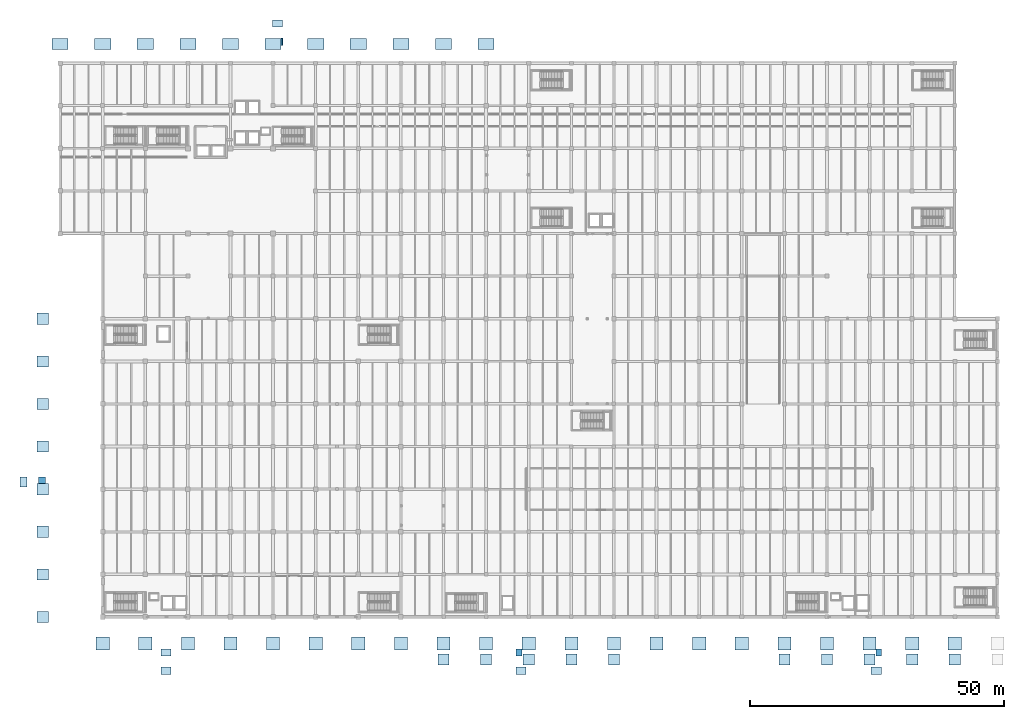
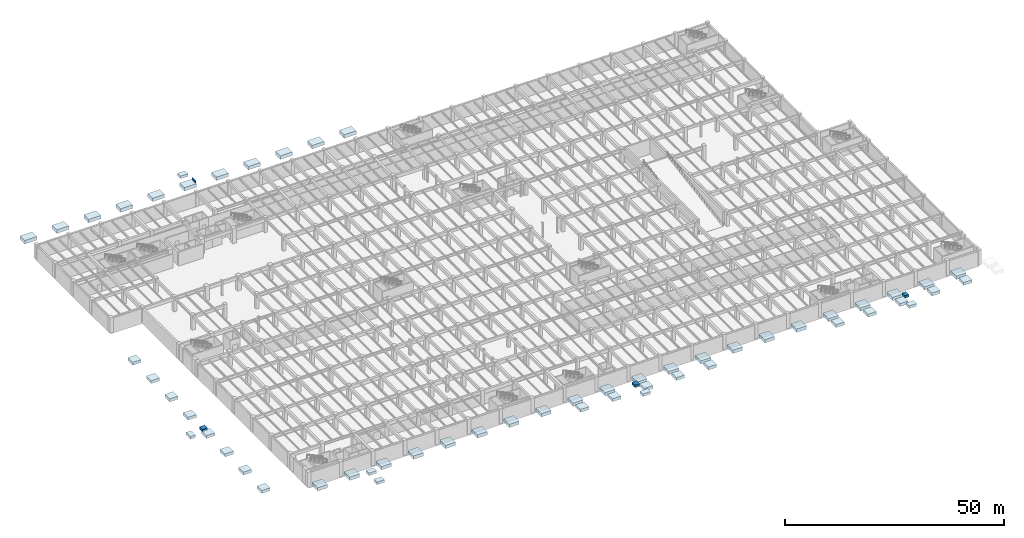
# One storey, part 1 of 63: 60 footings.
"""IFC4 building model written with IfcOpenShell, lengths in metres."""

import ifcopenshell
import ifcopenshell.guid

model = None  # the IFC model being written
_history = None  # IfcOwnerHistory: only IFC2X3 demands one
_inside = {}  # id of a spatial element -> (the spatial element, [elements in it])
_under = {}  # id of a project, library or spatial element -> (it, [spatial elements below it])
_declared = {}  # id of a project -> (the project, [libraries it declares])
_typed = {}  # id of a type object -> (the type object, [elements of that type])
_made_of = {}  # id of a material, layer set ... -> (it, [elements and type objects made of it])


def new_model(schema):
    """Start an empty IFC model of exactly this schema.

    Asked for "IFC4X3", IfcOpenShell would pick the latest addendum, in which some entities
    have other attributes; the version numbers below select the first issue.
    IFC2X3 requires an IfcOwnerHistory on every rooted entity: one is made here for all.
    """
    global model, _history
    if schema == "IFC4X3":
        model = ifcopenshell.file(schema_version=(4, 3, 0, 0))
    else:
        model = ifcopenshell.file(schema=schema)
    _inside.clear()
    _under.clear()
    _declared.clear()
    _typed.clear()
    _made_of.clear()
    _history = None
    if model.schema == "IFC2X3":
        org = make("IfcOrganization", Name="unknown")
        user = make(
            "IfcPersonAndOrganization",
            ThePerson=make("IfcPerson", FamilyName="unknown"),
            TheOrganization=org,
        )
        app = make(
            "IfcApplication",
            ApplicationDeveloper=org,
            Version="unknown",
            ApplicationFullName="unknown",
            ApplicationIdentifier="unknown",
        )
        _history = make(
            "IfcOwnerHistory",
            OwningUser=user,
            OwningApplication=app,
            ChangeAction="ADDED",
            CreationDate=0,
        )
    return model


def make(cls, **values):
    """One entity of the class cls with the attributes given. An attribute that is None is left unset."""
    return model.create_entity(
        cls, **{name: value for name, value in values.items() if value is not None}
    )


def rooted(cls, **values):
    """An entity with a GlobalId (a new one), such as an element, a storey or a relation."""
    return make(cls, GlobalId=ifcopenshell.guid.new(), OwnerHistory=_history, **values)


def si_unit(unit_type, name, prefix=None):
    """IfcSIUnit, for example si_unit("LENGTHUNIT", "METRE", prefix="MILLI")."""
    return make("IfcSIUnit", UnitType=unit_type, Prefix=prefix, Name=name)


def assignment(units):
    """IfcUnitAssignment: the units of a project."""
    return None if units is None else make("IfcUnitAssignment", Units=units)


def point(xyz):
    """IfcCartesianPoint."""
    return None if xyz is None else make("IfcCartesianPoint", Coordinates=xyz)


def direction(xyz):
    """IfcDirection."""
    return None if xyz is None else make("IfcDirection", DirectionRatios=xyz)


def frame(location, z_axis=None, x_axis=None):
    """IfcAxis2Placement3D, a coordinate frame: its origin and axes. An axis left out is left unset."""
    return make(
        "IfcAxis2Placement3D",
        Location=point(location),
        Axis=direction(z_axis),
        RefDirection=direction(x_axis),
    )


def frame_2d(location, x_axis=None):
    """IfcAxis2Placement2D, a coordinate frame in the plane: its origin and x axis."""
    return make(
        "IfcAxis2Placement2D", Location=point(location), RefDirection=direction(x_axis)
    )


def origin():
    """The frame at (0, 0, 0) with its axes left unset."""
    return frame((0.0, 0.0, 0.0))


def origin_2d():
    """The frame at (0, 0) in the plane with its x axis left unset."""
    return frame_2d((0.0, 0.0))


def place(relative_to, where):
    """IfcLocalPlacement: puts the frame where relative to a parent placement (None: the world)."""
    return make(
        "IfcLocalPlacement", PlacementRelTo=relative_to, RelativePlacement=where
    )


def context(
    kind, dimensions, precision=None, world=None, true_north=None, identifier=None
):
    """IfcGeometricRepresentationContext, for example the 3D "Model" context."""
    return make(
        "IfcGeometricRepresentationContext",
        ContextIdentifier=identifier,
        ContextType=kind,
        CoordinateSpaceDimension=dimensions,
        Precision=precision,
        WorldCoordinateSystem=world,
        TrueNorth=true_north,
    )


def subcontext(parent, identifier, kind, view, scale=None):
    """IfcGeometricRepresentationSubContext, for example "Body" below "Model"."""
    return make(
        "IfcGeometricRepresentationSubContext",
        ContextIdentifier=identifier,
        ContextType=kind,
        ParentContext=parent,
        TargetScale=scale,
        TargetView=view,
    )


def project(units=None, contexts=None):
    """IfcProject with its units and contexts."""
    return rooted(
        "IfcProject",
        Name="project",
        RepresentationContexts=contexts,
        UnitsInContext=assignment(units),
    )


def spatial(cls, under=None, at=None, **own):
    """A site, building, storey or space (cls), placed at a placement, below another one or the project."""
    s = rooted(cls, ObjectPlacement=at, **own)
    if under is not None:
        _under.setdefault(under.id(), (under, []))[1].append(s)
    return s


def profile(cls, at=None, kind="AREA", **sizes):
    """A parametric profile (cls). Its sizes go by their IFC names, for example OverallWidth=200.0."""
    return make(cls, ProfileType=kind, Position=at, **sizes)


def rectangle(**sizes):
    """IfcRectangleProfileDef."""
    return profile("IfcRectangleProfileDef", **sizes)


def extrude(swept, where, along, depth):
    """IfcExtrudedAreaSolid: the profile swept, set in the frame where, extruded along a direction by depth."""
    return make(
        "IfcExtrudedAreaSolid",
        SweptArea=swept,
        Position=where,
        ExtrudedDirection=direction(along),
        Depth=depth,
    )


def shape(context_of_items, identifier, shape_type, items):
    """IfcShapeRepresentation: the items that make up one representation, for example the "Body"."""
    return make(
        "IfcShapeRepresentation",
        ContextOfItems=context_of_items,
        RepresentationIdentifier=identifier,
        RepresentationType=shape_type,
        Items=items,
    )


def material(Name=None, Category=None):
    """IfcMaterial."""
    return make("IfcMaterial", Name=Name, Category=Category)


def material_profile(
    of_material, cross_section, Name=None, Category=None, Priority=None
):
    """IfcMaterialProfile: a cross section and its material."""
    return make(
        "IfcMaterialProfile",
        Name=Name,
        Material=of_material,
        Profile=cross_section,
        Priority=Priority,
        Category=Category,
    )


def profile_set(profiles, Name=None, composite=None):
    """IfcMaterialProfileSet."""
    return make(
        "IfcMaterialProfileSet",
        Name=Name,
        MaterialProfiles=profiles,
        CompositeProfile=composite,
    )


def made_of(thing, what):
    """Note that an element or type object is made of a material, layer set ...; save() writes the relation."""
    if what is not None:
        _made_of.setdefault(what.id(), (what, []))[1].append(thing)
    return thing


def type_object(cls, material=None, **own):
    """A type object (cls), such as IfcWallType, which elements share."""
    return made_of(rooted(cls, **own), material)


def element(
    cls,
    number,
    at=None,
    inside=None,
    cuts=None,
    type_object=None,
    material=None,
    context=None,
    identifier="Body",
    shape_type=None,
    held_by="IfcProductDefinitionShape",
    body=None,
    shapes=None,
    **own,
):
    """One element of the class cls, such as IfcWall. Its Tag is "e" and its number.

    at: its placement. inside: the storey or other place that contains it. cuts: it is an
    opening in that element (IfcRelVoidsElement). A single representation is given by context,
    identifier, shape_type and body (its items); several are given by shapes. held_by: the class
    of the entity that holds the representations. save() writes the other relations.
    """
    e = rooted(cls, Tag="e%d" % number, ObjectPlacement=at, **own)
    if body is not None:
        shapes = [shape(context, identifier, shape_type, body)]
    if shapes is not None:
        e.Representation = make(held_by, Representations=shapes)
    if inside is not None:
        _inside.setdefault(inside.id(), (inside, []))[1].append(e)
    if cuts is not None:
        rooted(
            "IfcRelVoidsElement", RelatingBuildingElement=cuts, RelatedOpeningElement=e
        )
    if type_object is not None:
        _typed.setdefault(type_object.id(), (type_object, []))[1].append(e)
    return made_of(e, material)


def aggregate(whole, parts):
    """IfcRelAggregates: a whole, such as a stair, and the parts it consists of."""
    return rooted("IfcRelAggregates", RelatingObject=whole, RelatedObjects=parts)


def save(model, path):
    """Write the relations noted so far, then the file.

    IfcRelAggregates (storeys below a building ...), IfcRelContainedInSpatialStructure (elements
    in a storey), IfcRelDefinesByType, IfcRelAssociatesMaterial and IfcRelDeclares: one each for
    every whole, place, type object, material and project.
    """
    for whole, parts in _under.values():
        aggregate(whole, parts)
    for where, things in _inside.values():
        rooted(
            "IfcRelContainedInSpatialStructure",
            RelatedElements=things,
            RelatingStructure=where,
        )
    for kind, things in _typed.values():
        rooted("IfcRelDefinesByType", RelatedObjects=things, RelatingType=kind)
    for what, things in _made_of.values():
        rooted("IfcRelAssociatesMaterial", RelatedObjects=things, RelatingMaterial=what)
    for by, libraries in _declared.values():
        rooted("IfcRelDeclares", RelatingContext=by, RelatedDefinitions=libraries)
    model.write(path)


model = new_model("IFC4")

# Units and contexts
model_context = context("Model", 3, precision=1e-05, world=origin(), true_north=direction((0.0, 1.0)))
body_context = subcontext(model_context, "Body", "Model", "MODEL_VIEW")
ifc_project = project(units=[si_unit("LENGTHUNIT", "METRE"), si_unit("AREAUNIT", "SQUARE_METRE"), si_unit("VOLUMEUNIT", "CUBIC_METRE"), si_unit("PLANEANGLEUNIT", "RADIAN"), si_unit("MASSUNIT", "GRAM", prefix="KILO")], contexts=[model_context])

# Site, building, storey
site_placement = place(None, origin())
site = spatial("IfcSite", under=ifc_project, at=site_placement, CompositionType="ELEMENT")
building_placement = place(site_placement, origin())
building = spatial("IfcBuilding", under=site, at=building_placement, Name="Cumbredor Promenade Congress Hotel", CompositionType="ELEMENT")
storey_placement = place(building_placement, frame((0.0, 0.0, -4.199951171875)))
storey = spatial("IfcBuildingStorey", under=building, at=storey_placement, Name="B01", CompositionType="ELEMENT", Elevation=-4.199951171875)

# Footings
ifc_material = material(Name="Concrete C40/50", Category="concrete")
footing_type_1 = type_object("IfcFootingType", Name="Concrete Pad Footing PF-01 2200x2200x800", PredefinedType="PAD_FOOTING", material=ifc_material)
for number, where, z_axis, x_axis, name in (
    (1, (-3.39990234375, 8.39990234375, 3.10009765625), (0.0, 0.0, 1.0), (1.0, 0.0, 0.0), "Colonnade Pad Footing PF-001"),
    (2, (-3.39990234375, 16.800048828125, 3.10009765625), (0.0, 0.0, 1.0), (1.0, 0.0, 0.0), "Colonnade Pad Footing PF-002"),
    (3, (-3.39990234375, 25.199951171875, 3.10009765625), (0.0, 0.0, 1.0), (1.0, 0.0, 0.0), "Colonnade Pad Footing PF-003"),
    (4, (-3.39990234375, 33.60009765625, 3.10009765625), (0.0, 0.0, 1.0), (1.0, 0.0, 0.0), "Colonnade Pad Footing PF-004"),
    (5, (-3.39990234375, 42.0, 3.10009765625), (0.0, 0.0, 1.0), (1.0, 0.0, 0.0), "Colonnade Pad Footing PF-005"),
    (6, (-3.39990234375, 50.39990234375, 3.10009765625), (0.0, 0.0, 1.0), (1.0, 0.0, 0.0), "Colonnade Pad Footing PF-006"),
    (7, (-3.39990234375, 58.800048828125, 3.10009765625), (0.0, 0.0, 1.0), (1.0, 0.0, 0.0), "Colonnade Pad Footing PF-007"),
    (8, (-3.39990234375, 67.199951171875, 3.10009765625), (0.0, 0.0, 1.0), (1.0, 0.0, 0.0), "Colonnade Pad Footing PF-008"),
    (9, (75.60009765625, 0.0, 3.10009765625), (0.0, 0.0, 1.0), (1.0, 0.0, 0.0), "Spa Pavilion Eave Pad Footing X75"),
    (10, (84.0, 0.0, 3.10009765625), (0.0, 0.0, 1.0), (1.0, 0.0, 0.0), "Spa Pavilion Eave Pad Footing X84"),
    (11, (92.39990234375, 0.0, 3.10009765625), (0.0, 0.0, 1.0), (1.0, 0.0, 0.0), "Spa Pavilion Eave Pad Footing X92"),
    (12, (100.800048828125, 0.0, 3.10009765625), (0.0, 0.0, 1.0), (1.0, 0.0, 0.0), "Spa Pavilion Eave Pad Footing X100"),
    (13, (109.199951171875, 0.0, 3.10009765625), (0.0, 0.0, 1.0), (1.0, 0.0, 0.0), "Spa Pavilion Eave Pad Footing X109"),
    (14, (142.800048828125, 0.0, 3.10009765625), (0.0, 0.0, 1.0), (1.0, 0.0, 0.0), "Ballroom Pavilion Eave Pad Footing X142"),
    (15, (151.199951171875, 0.0, 3.10009765625), (0.0, 0.0, 1.0), (1.0, 0.0, 0.0), "Ballroom Pavilion Eave Pad Footing X151"),
    (16, (159.60009765625, 0.0, 3.10009765625), (0.0, 0.0, 1.0), (1.0, 0.0, 0.0), "Ballroom Pavilion Eave Pad Footing X159"),
    (17, (168.0, 0.0, 3.10009765625), (0.0, 0.0, 1.0), (1.0, 0.0, 0.0), "Ballroom Pavilion Eave Pad Footing X168"),
    (18, (176.39990234375, 0.0, 3.10009765625), (0.0, 0.0, 1.0), (1.0, 0.0, 0.0), "Ballroom Pavilion Eave Pad Footing X176"),
):
    element("IfcFooting", number, at=place(storey_placement, frame(where, z_axis=z_axis, x_axis=x_axis)), inside=storey, type_object=footing_type_1, Name=name, PredefinedType="PAD_FOOTING", context=body_context, shape_type="SweptSolid", body=[
        extrude(rectangle(XDim=2.199951171875, YDim=2.199951171875, at=origin_2d()), origin(), (0.0, 0.0, 1.0), 0.800048828125),
    ])
footing_type_2 = type_object("IfcFootingType", Name="Concrete Pad Footing PF-02 2600x2600x900", PredefinedType="PAD_FOOTING", material=ifc_material)
for number, where, z_axis, x_axis, name in (
    (19, (8.39990234375, 3.199951171875, 3.0), (0.0, 0.0, 1.0), (1.0, 0.0, 0.0), "Colonnade Pad Footing PF-009"),
    (20, (16.800048828125, 3.199951171875, 3.0), (0.0, 0.0, 1.0), (1.0, 0.0, 0.0), "Colonnade Pad Footing PF-010"),
    (21, (25.199951171875, 3.199951171875, 3.0), (0.0, 0.0, 1.0), (1.0, 0.0, 0.0), "Colonnade Pad Footing PF-011"),
    (22, (33.60009765625, 3.199951171875, 3.0), (0.0, 0.0, 1.0), (1.0, 0.0, 0.0), "Colonnade Pad Footing PF-012"),
    (23, (42.0, 3.199951171875, 3.0), (0.0, 0.0, 1.0), (1.0, 0.0, 0.0), "Colonnade Pad Footing PF-013"),
    (24, (50.39990234375, 3.199951171875, 3.0), (0.0, 0.0, 1.0), (1.0, 0.0, 0.0), "Colonnade Pad Footing PF-014"),
    (25, (58.800048828125, 3.199951171875, 3.0), (0.0, 0.0, 1.0), (1.0, 0.0, 0.0), "Colonnade Pad Footing PF-015"),
    (26, (67.199951171875, 3.199951171875, 3.0), (0.0, 0.0, 1.0), (1.0, 0.0, 0.0), "Colonnade Pad Footing PF-016"),
    (27, (75.60009765625, 3.199951171875, 3.0), (0.0, 0.0, 1.0), (1.0, 0.0, 0.0), "Colonnade Pad Footing PF-017"),
    (28, (84.0, 3.199951171875, 3.0), (0.0, 0.0, 1.0), (1.0, 0.0, 0.0), "Colonnade Pad Footing PF-018"),
    (29, (92.39990234375, 3.199951171875, 3.0), (0.0, 0.0, 1.0), (1.0, 0.0, 0.0), "Colonnade Pad Footing PF-019"),
    (30, (100.800048828125, 3.199951171875, 3.0), (0.0, 0.0, 1.0), (1.0, 0.0, 0.0), "Colonnade Pad Footing PF-020"),
    (31, (109.199951171875, 3.199951171875, 3.0), (0.0, 0.0, 1.0), (1.0, 0.0, 0.0), "Colonnade Pad Footing PF-021"),
    (32, (117.60009765625, 3.199951171875, 3.0), (0.0, 0.0, 1.0), (1.0, 0.0, 0.0), "Colonnade Pad Footing PF-022"),
    (33, (126.0, 3.199951171875, 3.0), (0.0, 0.0, 1.0), (1.0, 0.0, 0.0), "Colonnade Pad Footing PF-023"),
    (34, (134.39990234375, 3.199951171875, 3.0), (0.0, 0.0, 1.0), (1.0, 0.0, 0.0), "Colonnade Pad Footing PF-024"),
    (35, (142.800048828125, 3.199951171875, 3.0), (0.0, 0.0, 1.0), (1.0, 0.0, 0.0), "Colonnade Pad Footing PF-025"),
    (36, (151.199951171875, 3.199951171875, 3.0), (0.0, 0.0, 1.0), (1.0, 0.0, 0.0), "Colonnade Pad Footing PF-026"),
    (37, (159.60009765625, 3.199951171875, 3.0), (0.0, 0.0, 1.0), (1.0, 0.0, 0.0), "Colonnade Pad Footing PF-027"),
    (38, (168.0, 3.199951171875, 3.0), (0.0, 0.0, 1.0), (1.0, 0.0, 0.0), "Colonnade Pad Footing PF-028"),
    (39, (176.39990234375, 3.199951171875, 3.0), (0.0, 0.0, 1.0), (1.0, 0.0, 0.0), "Colonnade Pad Footing PF-029"),
):
    element("IfcFooting", number, at=place(storey_placement, frame(where, z_axis=z_axis, x_axis=x_axis)), inside=storey, type_object=footing_type_2, Name=name, PredefinedType="PAD_FOOTING", context=body_context, shape_type="SweptSolid", body=[
        extrude(rectangle(XDim=2.60009765625, YDim=2.60009765625, at=origin_2d()), origin(), (0.0, 0.0, 1.0), 0.89990234375),
    ])
footing_type_3 = type_object("IfcFootingType", Name="Concrete Pad Footing PF-03 3200x2200x950", PredefinedType="PAD_FOOTING", material=ifc_material)
for number, where, z_axis, x_axis, name in (
    (40, (0.0, 121.39990234375, 2.9501953125), (0.0, 0.0, 1.0), (1.0, 0.0, 0.0), "Colonnade Pad Footing PF-031"),
    (41, (8.39990234375, 121.39990234375, 2.9501953125), (0.0, 0.0, 1.0), (1.0, 0.0, 0.0), "Colonnade Pad Footing PF-032"),
    (42, (16.800048828125, 121.39990234375, 2.9501953125), (0.0, 0.0, 1.0), (1.0, 0.0, 0.0), "Colonnade Pad Footing PF-033"),
    (43, (25.199951171875, 121.39990234375, 2.9501953125), (0.0, 0.0, 1.0), (1.0, 0.0, 0.0), "Colonnade Pad Footing PF-034"),
    (44, (33.60009765625, 121.39990234375, 2.9501953125), (0.0, 0.0, 1.0), (1.0, 0.0, 0.0), "Colonnade Pad Footing PF-035"),
    (45, (42.0, 121.39990234375, 2.9501953125), (0.0, 0.0, 1.0), (1.0, 0.0, 0.0), "Colonnade Pad Footing PF-036"),
    (46, (50.39990234375, 121.39990234375, 2.9501953125), (0.0, 0.0, 1.0), (1.0, 0.0, 0.0), "Colonnade Pad Footing PF-037"),
    (47, (58.800048828125, 121.39990234375, 2.9501953125), (0.0, 0.0, 1.0), (1.0, 0.0, 0.0), "Colonnade Pad Footing PF-038"),
    (48, (67.199951171875, 121.39990234375, 2.9501953125), (0.0, 0.0, 1.0), (1.0, 0.0, 0.0), "Colonnade Pad Footing PF-039"),
    (49, (75.60009765625, 121.39990234375, 2.9501953125), (0.0, 0.0, 1.0), (1.0, 0.0, 0.0), "Colonnade Pad Footing PF-040"),
    (50, (84.0, 121.39990234375, 2.9501953125), (0.0, 0.0, 1.0), (1.0, 0.0, 0.0), "Colonnade Pad Footing PF-041"),
):
    element("IfcFooting", number, at=place(storey_placement, frame(where, z_axis=z_axis, x_axis=x_axis)), inside=storey, type_object=footing_type_3, Name=name, PredefinedType="PAD_FOOTING", context=body_context, shape_type="SweptSolid", body=[
        extrude(rectangle(XDim=3.199951171875, YDim=2.199951171875, at=origin_2d()), origin(), (0.0, 0.0, 1.0), 0.949951171875),
    ])
ifc_material_profile = material_profile(ifc_material, rectangle(XDim=1.39990234375, YDim=0.699951171875, at=origin_2d()), Name="SF 1400x700")
ifc_profile_set = profile_set([ifc_material_profile], Name="Concrete C40/50")
footing_type_4 = type_object("IfcFootingType", Name="Concrete Strip Footing SF-01 1400x700", PredefinedType="STRIP_FOOTING", material=ifc_profile_set)
footing_1_placement = place(storey_placement, frame((-7.199951171875, 34.0, 3.550048828125), z_axis=(0.0, 1.0, 0.0), x_axis=(-1.0, 0.0, 0.0)))
element("IfcFooting", 51, at=footing_1_placement, inside=storey, type_object=footing_type_4, Name="West Promenade Accessible Entrance Ramp 1 Toe Bearing Footing", PredefinedType="STRIP_FOOTING", context=body_context, shape_type="SweptSolid", body=[
    extrude(rectangle(XDim=1.39990234375, YDim=0.699951171875, at=origin_2d()), origin(), (0.0, 0.0, 1.0), 2.0),
])
footing_2_placement = place(storey_placement, frame((-3.60009765625, 34.701904296875, 3.849853515625), z_axis=(0.0, 1.0, 0.0), x_axis=(-1.0, 0.0, 0.0)))
element("IfcFooting", 52, at=footing_2_placement, inside=storey, type_object=footing_type_4, Name="West Promenade Accessible Entrance Ramp 1 Head Bearing Footing", PredefinedType="STRIP_FOOTING", context=body_context, shape_type="SweptSolid", body=[
    extrude(rectangle(XDim=1.39990234375, YDim=0.699951171875, at=origin_2d()), origin(), (0.0, 0.0, 1.0), 1.298095703125),
])
for number, where, z_axis, x_axis, name in (
    (53, (19.89990234375, -2.199951171875, 3.550048828125), (1.0, 0.0, 0.0), (0.0, 1.0, 0.0), "Riverside Colonnade Accessible Ramp 2 Toe Bearing Footing"),
    (54, (19.89990234375, 1.39990234375, 3.849853515625), (1.0, 0.0, 0.0), (0.0, 1.0, 0.0), "Riverside Colonnade Accessible Ramp 2 Head Bearing Footing"),
    (55, (89.89990234375, -2.199951171875, 3.550048828125), (1.0, 0.0, 0.0), (0.0, 1.0, 0.0), "Spa Garden Accessible Ramp 3 Toe Bearing Footing"),
):
    element("IfcFooting", number, at=place(storey_placement, frame(where, z_axis=z_axis, x_axis=x_axis)), inside=storey, type_object=footing_type_4, Name=name, PredefinedType="STRIP_FOOTING", context=body_context, shape_type="SweptSolid", body=[
        extrude(rectangle(XDim=1.39990234375, YDim=0.699951171875, at=origin_2d()), origin(), (0.0, 0.0, 1.0), 2.0),
    ])
footing_3_placement = place(storey_placement, frame((89.89990234375, 1.39990234375, 3.849853515625), z_axis=(1.0, 0.0, 0.0), x_axis=(0.0, 1.0, 0.0)))
element("IfcFooting", 56, at=footing_3_placement, inside=storey, type_object=footing_type_4, Name="Spa Garden Accessible Ramp 3 Head Bearing Footing", PredefinedType="STRIP_FOOTING", context=body_context, shape_type="SweptSolid", body=[
    extrude(rectangle(XDim=1.39990234375, YDim=0.699951171875, at=origin_2d()), origin(), (0.0, 0.0, 1.0), 1.197998046875),
])
footing_4_placement = place(storey_placement, frame((159.89990234375, -2.199951171875, 3.550048828125), z_axis=(1.0, 0.0, 0.0), x_axis=(0.0, 1.0, 0.0)))
element("IfcFooting", 57, at=footing_4_placement, inside=storey, type_object=footing_type_4, Name="Ballroom Promenade Accessible Ramp 4 Toe Bearing Footing", PredefinedType="STRIP_FOOTING", context=body_context, shape_type="SweptSolid", body=[
    extrude(rectangle(XDim=1.39990234375, YDim=0.699951171875, at=origin_2d()), origin(), (0.0, 0.0, 1.0), 2.0),
])
footing_5_placement = place(storey_placement, frame((160.902099609375, 1.39990234375, 3.849853515625), z_axis=(1.0, 0.0, 0.0), x_axis=(0.0, 1.0, 0.0)))
element("IfcFooting", 58, at=footing_5_placement, inside=storey, type_object=footing_type_4, Name="Ballroom Promenade Accessible Ramp 4 Head Bearing Footing", PredefinedType="STRIP_FOOTING", context=body_context, shape_type="SweptSolid", body=[
    extrude(rectangle(XDim=1.39990234375, YDim=0.699951171875, at=origin_2d()), origin(), (0.0, 0.0, 1.0), 0.997802734375),
])
footing_6_placement = place(storey_placement, frame((41.89990234375, 125.39990234375, 3.550048828125), z_axis=(1.0, 0.0, 0.0), x_axis=(0.0, 1.0, 0.0)))
element("IfcFooting", 59, at=footing_6_placement, inside=storey, type_object=footing_type_4, Name="North Portico Accessible Drop-Off Ramp 5 Toe Bearing Footing", PredefinedType="STRIP_FOOTING", context=body_context, shape_type="SweptSolid", body=[
    extrude(rectangle(XDim=1.39990234375, YDim=0.699951171875, at=origin_2d()), origin(), (0.0, 0.0, 1.0), 2.0),
])
footing_7_placement = place(storey_placement, frame((43.60205078125, 121.800048828125, 3.849853515625), z_axis=(1.0, 0.0, 0.0), x_axis=(0.0, 1.0, 0.0)))
element("IfcFooting", 60, at=footing_7_placement, inside=storey, type_object=footing_type_4, Name="North Portico Accessible Drop-Off Ramp 5 Head Bearing Footing", PredefinedType="STRIP_FOOTING", context=body_context, shape_type="SweptSolid", body=[
    extrude(rectangle(XDim=1.39990234375, YDim=0.699951171875, at=origin_2d()), origin(), (0.0, 0.0, 1.0), 0.2978515625),
])

save(model, "model.ifc")
